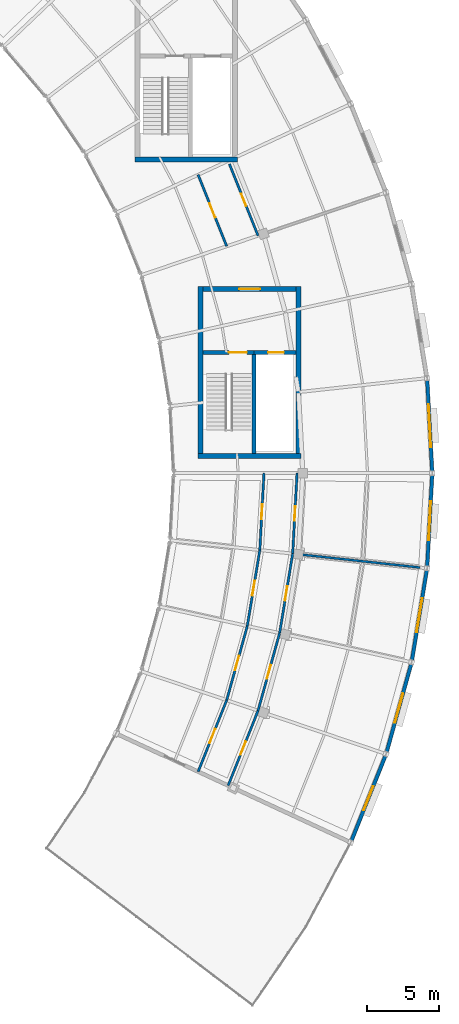
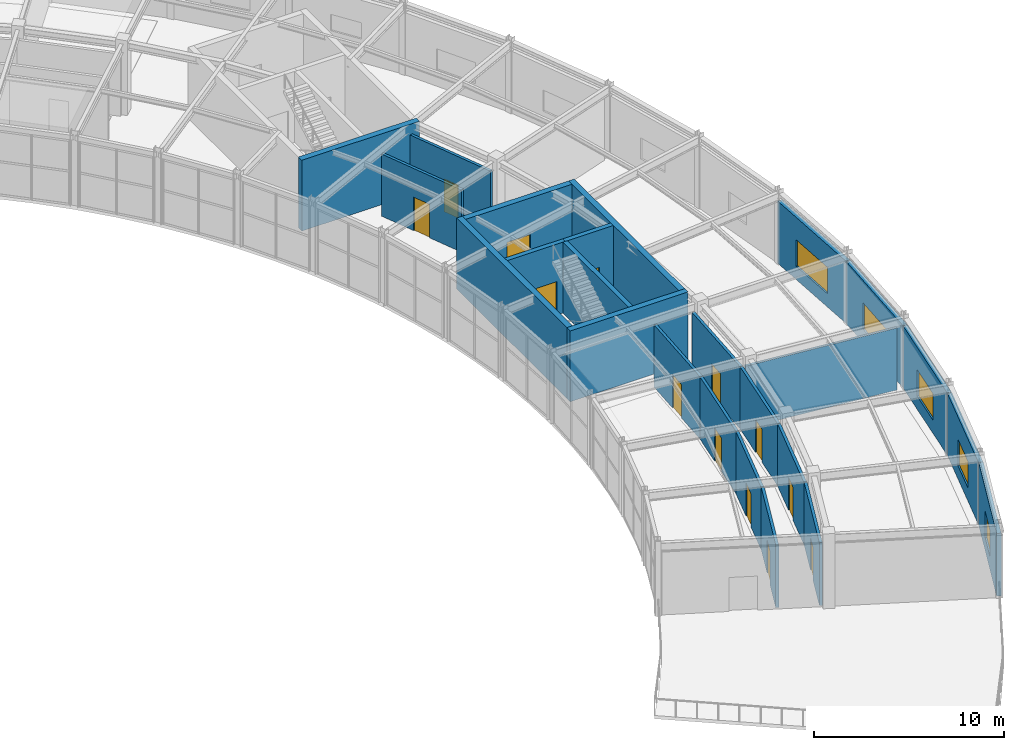
# One storey, part 94 of 108: 24 walls, 13 doors, 5 windows, 18 openings.
"""IFC4 building model written with IfcOpenShell, lengths in metres."""

from ifc_helpers import new_model, si_unit, direction, frame, frame_2d, origin, place, context, subcontext, project, spatial, rectangle, extrude, material, layer, layer_set, type_object, element, fill, save


model = new_model("IFC4")

# Units and contexts
model_context = context("Model", 3, precision=1e-05, world=origin(), true_north=direction((0.0, 1.0)))
body_context = subcontext(model_context, "Body", "Model", "MODEL_VIEW")
ifc_project = project(units=[si_unit("LENGTHUNIT", "METRE"), si_unit("AREAUNIT", "SQUARE_METRE"), si_unit("VOLUMEUNIT", "CUBIC_METRE"), si_unit("PLANEANGLEUNIT", "RADIAN"), si_unit("MASSUNIT", "GRAM", prefix="KILO")], contexts=[model_context])

# Site, building, storey
site_placement = place(None, origin())
site = spatial("IfcSite", under=ifc_project, at=site_placement, CompositionType="ELEMENT")
building_placement = place(site_placement, origin())
building = spatial("IfcBuilding", under=site, at=building_placement, Name="Tarnveldt Headland Concert Hall", CompositionType="ELEMENT")
storey_placement = place(building_placement, frame((0.0, 0.0, 9.60009765625)))
storey = spatial("IfcBuildingStorey", under=building, at=storey_placement, Name="L02", CompositionType="ELEMENT", Elevation=9.60009765625)

# Walls
ifc_material_1 = material(Name="Concrete C40/50", Category="concrete")
ifc_layer_1 = layer(ifc_material_1, 0.35009765625, Name="Concrete C40/50", Category="concrete")
ifc_layer_set_1 = layer_set([ifc_layer_1], Name="Concrete C40/50")
wall_type_1 = type_object("IfcWallType", Name="WL-CR350", PredefinedType="SHEAR", material=ifc_layer_set_1)
wall_1_placement = place(storey_placement, frame((157.824951171875, 81.800048828125, 0.0), z_axis=(0.0, 0.0, 1.0), x_axis=(1.0, 0.0, 0.0)))
element("IfcWall", 1, at=wall_1_placement, inside=storey, type_object=wall_type_1, Name="Core C3 south shear wall L02", PredefinedType="SHEAR", context=body_context, shape_type="SweptSolid", body=[
    extrude(rectangle(XDim=7.150146484375, YDim=0.35009765625, at=frame_2d((3.5751953125, 0.0))), origin(), (0.0, 0.0, 1.0), 4.5498046875),
])
wall_2_placement = place(storey_placement, frame((162.22509765625, 61.199951171875, 0.0), z_axis=(0.0, 0.0, 1.0), x_axis=(1.0, 0.0, 0.0)))
element("IfcWall", 2, at=wall_2_placement, inside=storey, type_object=wall_type_1, Name="Core C4 south shear wall L02", PredefinedType="SHEAR", context=body_context, shape_type="SweptSolid", body=[
    extrude(rectangle(XDim=7.14990234375, YDim=0.35009765625, at=frame_2d((3.574951171875, 0.0))), origin(), (0.0, 0.0, 1.0), 4.5498046875),
])

# Wall, opening, door
wall_3_placement = place(storey_placement, frame((162.574951171875, 72.800048828125, 0.0), z_axis=(0.0, 0.0, 1.0), x_axis=(1.0, 0.0, 0.0)))
wall_3 = element("IfcWall", 3, at=wall_3_placement, inside=storey, type_object=wall_type_1, Name="Core C4 north shear wall L02", PredefinedType="SHEAR", context=body_context, shape_type="SweptSolid", body=[
    extrude(rectangle(XDim=6.449951171875, YDim=0.35009765625, at=frame_2d((3.22509765625, 0.0))), origin(), (0.0, 0.0, 1.0), 4.5498046875),
])
opening_1_placement = place(wall_3_placement, frame((2.5, 0.0, 0.0)))
opening_1 = element("IfcOpeningElement", 4, at=opening_1_placement, cuts=wall_3, Name="Opening LBD-C4-L02", PredefinedType="OPENING", context=body_context, shape_type="SweptSolid", body=[
    extrude(rectangle(XDim=1.449951171875, YDim=2.199951171875, at=frame_2d((0.72509765625, 1.10009765625))), frame((0.0, 0.18505859375, 0.0), z_axis=(0.0, -1.0, 0.0), x_axis=(1.0, 0.0, 0.0)), (0.0, 0.0, 1.0), 0.3701171875),
])
ifc_material_2 = material(Name="Galvanised painted steel sheet", Category="steel")
door_type_1 = type_object("IfcDoorType", Name="DR-LB145", OperationType="NOTDEFINED", PredefinedType="DOOR", material=ifc_material_2)
door_1_placement = place(opening_1_placement, origin())
door_1 = element("IfcDoor", 5, at=door_1_placement, inside=storey, type_object=door_type_1, Name="Core C4 lobby entrance door L02", OperationType="SINGLE_SWING_LEFT", OverallHeight=2.199951171875, OverallWidth=1.449951171875, PredefinedType="DOOR", context=body_context, shape_type="SweptSolid", body=[
    extrude(rectangle(XDim=1.449951171875, YDim=2.199951171875, at=frame_2d((0.72509765625, 1.10009765625))), frame((0.0, 0.02490234375, 0.0), z_axis=(0.0, -1.0, 0.0), x_axis=(1.0, 0.0, 0.0)), (0.0, 0.0, 1.0), 0.050048828125),
])
fill(opening_1, door_1)

# Walls
for number, where, z_axis, x_axis, name in (
    (6, (162.39990234375, 61.375, 0.0), (0.0, 0.0, 1.0), (0.0, 1.0, 0.0), "Core C4 west shear wall L02"),
    (7, (169.199951171875, 61.375, 0.0), (0.0, 0.0, 1.0), (0.0, 1.0, 0.0), "Core C4 east shear wall L02"),
):
    element("IfcWall", number, at=place(storey_placement, frame(where, z_axis=z_axis, x_axis=x_axis)), inside=storey, type_object=wall_type_1, Name=name, PredefinedType="SHEAR", context=body_context, shape_type="SweptSolid", body=[
        extrude(rectangle(XDim=11.60009765625, YDim=0.35009765625, at=frame_2d((5.800048828125, 0.0))), origin(), (0.0, 0.0, 1.0), 4.5498046875),
    ])

# Wall, opening, window
ifc_material_3 = material(Name="Coral-toned precast concrete C40/50", Category="concrete")
ifc_layer_2 = layer(ifc_material_3, 0.25, Name="Coral-toned precast concrete C40/50", Category="concrete")
ifc_layer_set_2 = layer_set([ifc_layer_2], Name="Coral-toned precast concrete C40/50")
wall_type_2 = type_object("IfcWallType", Name="WL-EX250", PredefinedType="SOLIDWALL", material=ifc_layer_set_2)
wall_4_placement = place(storey_placement, frame((175.28369140625, 40.45751953125, 0.0), z_axis=(0.0, 0.0, 1.0), x_axis=(-0.371013273361, -0.928627563122, 0.0)))
wall_4 = element("IfcWall", 8, at=wall_4_placement, inside=storey, type_object=wall_type_2, Name="External precast wall L02-131", PredefinedType="SOLIDWALL", context=body_context, shape_type="SweptSolid", body=[
    extrude(rectangle(XDim=6.5810546875, YDim=0.25, at=frame_2d((3.29052734375, 0.0))), origin(), (0.0, 0.0, 1.0), 4.02783203125),
])
opening_2_placement = place(wall_4_placement, frame((2.390625, 0.0, 0.85009765625)))
opening_2 = element("IfcOpeningElement", 9, at=opening_2_placement, cuts=wall_4, Name="Opening W-C057", PredefinedType="OPENING", context=body_context, shape_type="SweptSolid", body=[
    extrude(rectangle(XDim=1.800048828125, YDim=1.699951171875, at=frame_2d((0.89990234375, 0.85009765625))), frame((0.0, 0.135009765625, 0.0), z_axis=(0.0, -1.0, 0.0), x_axis=(1.0, 0.0, 0.0)), (0.0, 0.0, 1.0), 0.27001953125),
])
ifc_material_4 = material(Name="Acoustic laminated low-iron double glazing", Category="glass")
window_type_1 = type_object("IfcWindowType", Name="WN-12", PartitioningType="SINGLE_PANEL", PredefinedType="WINDOW", material=ifc_material_4)
window_1_placement = place(opening_2_placement, origin())
window_1 = element("IfcWindow", 10, at=window_1_placement, inside=storey, type_object=window_type_1, Name="Crescent coastal studio window L02-6", OverallHeight=1.699951171875, OverallWidth=1.800048828125, PartitioningType="SINGLE_PANEL", PredefinedType="WINDOW", context=body_context, shape_type="SweptSolid", body=[
    extrude(rectangle(XDim=1.800048828125, YDim=1.699951171875, at=frame_2d((0.89990234375, 0.85009765625))), frame((0.0, 0.030029296875, 0.0), z_axis=(0.0, -1.0, 0.0), x_axis=(1.0, 0.0, 0.0)), (0.0, 0.0, 1.0), 0.06005859375),
])
fill(opening_2, window_1)

wall_5_placement = place(storey_placement, frame((177.061279296875, 46.835693359375, 0.0), z_axis=(0.0, 0.0, 1.0), x_axis=(-0.268139380464, -0.96338012884, 0.0)))
wall_5 = element("IfcWall", 11, at=wall_5_placement, inside=storey, type_object=wall_type_2, Name="External precast wall L02-132", PredefinedType="SOLIDWALL", context=body_context, shape_type="SweptSolid", body=[
    extrude(rectangle(XDim=6.5810546875, YDim=0.25, at=frame_2d((3.29052734375, 0.0))), origin(), (0.0, 0.0, 1.0), 3.98779296875),
])
opening_3_placement = place(wall_5_placement, frame((2.240478515625, 0.0, 0.85009765625)))
opening_3 = element("IfcOpeningElement", 12, at=opening_3_placement, cuts=wall_5, Name="Opening W-C058", PredefinedType="OPENING", context=body_context, shape_type="SweptSolid", body=[
    extrude(rectangle(XDim=2.10009765625, YDim=1.699951171875, at=frame_2d((1.050048828125, 0.85009765625))), frame((0.0, 0.135009765625, 0.0), z_axis=(0.0, -1.0, 0.0), x_axis=(1.0, 0.0, 0.0)), (0.0, 0.0, 1.0), 0.27001953125),
])
window_type_2 = type_object("IfcWindowType", Name="WN-13", PartitioningType="SINGLE_PANEL", PredefinedType="WINDOW", material=ifc_material_4)
window_2_placement = place(opening_3_placement, origin())
window_2 = element("IfcWindow", 13, at=window_2_placement, inside=storey, type_object=window_type_2, Name="Crescent coastal studio window L02-7", OverallHeight=1.699951171875, OverallWidth=2.10009765625, PartitioningType="SINGLE_PANEL", PredefinedType="WINDOW", context=body_context, shape_type="SweptSolid", body=[
    extrude(rectangle(XDim=2.10009765625, YDim=1.699951171875, at=frame_2d((1.050048828125, 0.85009765625))), frame((0.0, 0.030029296875, 0.0), z_axis=(0.0, -1.0, 0.0), x_axis=(1.0, 0.0, 0.0)), (0.0, 0.0, 1.0), 0.06005859375),
])
fill(opening_3, window_2)

wall_6_placement = place(storey_placement, frame((178.137451171875, 53.368896484375, 0.0), z_axis=(0.0, 0.0, 1.0), x_axis=(-0.162178892589, -0.986761372774, 0.0)))
wall_6 = element("IfcWall", 14, at=wall_6_placement, inside=storey, type_object=wall_type_2, Name="External precast wall L02-133", PredefinedType="SOLIDWALL", context=body_context, shape_type="SweptSolid", body=[
    extrude(rectangle(XDim=6.58154296875, YDim=0.25, at=frame_2d((3.290771484375, 0.0))), origin(), (0.0, 0.0, 1.0), 3.98779296875),
])
opening_4_placement = place(wall_6_placement, frame((2.0908203125, 0.0, 0.85009765625)))
opening_4 = element("IfcOpeningElement", 15, at=opening_4_placement, cuts=wall_6, Name="Opening W-C059", PredefinedType="OPENING", context=body_context, shape_type="SweptSolid", body=[
    extrude(rectangle(XDim=2.39990234375, YDim=1.699951171875, at=frame_2d((1.199951171875, 0.85009765625))), frame((0.0, 0.135009765625, 0.0), z_axis=(0.0, -1.0, 0.0), x_axis=(1.0, 0.0, 0.0)), (0.0, 0.0, 1.0), 0.27001953125),
])
window_type_3 = type_object("IfcWindowType", Name="WN-14", PartitioningType="SINGLE_PANEL", PredefinedType="WINDOW", material=ifc_material_4)
window_3_placement = place(opening_4_placement, origin())
window_3 = element("IfcWindow", 16, at=window_3_placement, inside=storey, type_object=window_type_3, Name="Crescent coastal studio window L02-8", OverallHeight=1.699951171875, OverallWidth=2.39990234375, PartitioningType="SINGLE_PANEL", PredefinedType="WINDOW", context=body_context, shape_type="SweptSolid", body=[
    extrude(rectangle(XDim=2.39990234375, YDim=1.699951171875, at=frame_2d((1.199951171875, 0.85009765625))), frame((0.0, 0.030029296875, 0.0), z_axis=(0.0, -1.0, 0.0), x_axis=(1.0, 0.0, 0.0)), (0.0, 0.0, 1.0), 0.06005859375),
])
fill(opening_4, window_3)

wall_7_placement = place(storey_placement, frame((178.498779296875, 59.97998046875, 0.0), z_axis=(0.0, 0.0, 1.0), x_axis=(-0.05427216263, -0.998526180109, 0.0)))
wall_7 = element("IfcWall", 17, at=wall_7_placement, inside=storey, type_object=wall_type_2, Name="External precast wall L02-134", PredefinedType="SOLIDWALL", context=body_context, shape_type="SweptSolid", body=[
    extrude(rectangle(XDim=6.581298828125, YDim=0.25, at=frame_2d((3.29052734375, 0.0))), origin(), (0.0, 0.0, 1.0), 3.98779296875),
])
opening_5_placement = place(wall_7_placement, frame((1.940673828125, 0.0, 0.85009765625)))
opening_5 = element("IfcOpeningElement", 18, at=opening_5_placement, cuts=wall_7, Name="Opening W-C060", PredefinedType="OPENING", context=body_context, shape_type="SweptSolid", body=[
    extrude(rectangle(XDim=2.699951171875, YDim=1.699951171875, at=frame_2d((1.35009765625, 0.85009765625))), frame((0.0, 0.135009765625, 0.0), z_axis=(0.0, -1.0, 0.0), x_axis=(1.0, 0.0, 0.0)), (0.0, 0.0, 1.0), 0.27001953125),
])
window_type_4 = type_object("IfcWindowType", Name="WN-15", PartitioningType="SINGLE_PANEL", PredefinedType="WINDOW", material=ifc_material_4)
window_4_placement = place(opening_5_placement, origin())
window_4 = element("IfcWindow", 19, at=window_4_placement, inside=storey, type_object=window_type_4, Name="Crescent coastal studio window L02-9", OverallHeight=1.699951171875, OverallWidth=2.699951171875, PartitioningType="SINGLE_PANEL", PredefinedType="WINDOW", context=body_context, shape_type="SweptSolid", body=[
    extrude(rectangle(XDim=2.699951171875, YDim=1.699951171875, at=frame_2d((1.35009765625, 0.85009765625))), frame((0.0, 0.030029296875, 0.0), z_axis=(0.0, -1.0, 0.0), x_axis=(1.0, 0.0, 0.0)), (0.0, 0.0, 1.0), 0.06005859375),
])
fill(opening_5, window_4)

wall_8_placement = place(storey_placement, frame((178.1416015625, 66.591552734375, 0.0), z_axis=(0.0, 0.0, 1.0), x_axis=(0.05427216263, -0.998526180109, 0.0)))
wall_8 = element("IfcWall", 20, at=wall_8_placement, inside=storey, type_object=wall_type_2, Name="External precast wall L02-135", PredefinedType="SOLIDWALL", context=body_context, shape_type="SweptSolid", body=[
    extrude(rectangle(XDim=6.581298828125, YDim=0.25, at=frame_2d((3.29052734375, 0.0))), origin(), (0.0, 0.0, 1.0), 3.98779296875),
])
opening_6_placement = place(wall_8_placement, frame((1.79052734375, 0.0, 0.85009765625)))
opening_6 = element("IfcOpeningElement", 21, at=opening_6_placement, cuts=wall_8, Name="Opening W-C061", PredefinedType="OPENING", context=body_context, shape_type="SweptSolid", body=[
    extrude(rectangle(XDim=3.0, YDim=1.699951171875, at=frame_2d((1.5, 0.85009765625))), frame((0.0, 0.135009765625, 0.0), z_axis=(0.0, -1.0, 0.0), x_axis=(1.0, 0.0, 0.0)), (0.0, 0.0, 1.0), 0.27001953125),
])
window_type_5 = type_object("IfcWindowType", Name="WN-16", PartitioningType="SINGLE_PANEL", PredefinedType="WINDOW", material=ifc_material_4)
window_5_placement = place(opening_6_placement, origin())
window_5 = element("IfcWindow", 22, at=window_5_placement, inside=storey, type_object=window_type_5, Name="Crescent coastal studio window L02-10", OverallHeight=1.699951171875, OverallWidth=3.0, PartitioningType="SINGLE_PANEL", PredefinedType="WINDOW", context=body_context, shape_type="SweptSolid", body=[
    extrude(rectangle(XDim=3.0, YDim=1.699951171875, at=frame_2d((1.5, 0.85009765625))), frame((0.0, 0.030029296875, 0.0), z_axis=(0.0, -1.0, 0.0), x_axis=(1.0, 0.0, 0.0)), (0.0, 0.0, 1.0), 0.06005859375),
])
fill(opening_6, window_5)

# Wall
ifc_material_5 = material(Name="Acoustic multi-layer gypsum and mineral-wool partition", Category="gypsum")
ifc_layer_3 = layer(ifc_material_5, 0.14990234375, Name="Acoustic multi-layer gypsum and mineral-wool partition", Category="gypsum")
ifc_layer_set_3 = layer_set([ifc_layer_3], Name="Acoustic multi-layer gypsum and mineral-wool partition")
wall_type_3 = type_object("IfcWallType", Name="WL-PT150", PredefinedType="PARTITIONING", material=ifc_layer_set_3)
wall_9_placement = place(storey_placement, frame((168.994873046875, 54.3857421875, 0.0), z_axis=(0.0, 0.0, 1.0), x_axis=(0.994106851206, -0.108404651128, 0.0)))
element("IfcWall", 23, at=wall_9_placement, inside=storey, type_object=wall_type_3, Name="Interior acoustic partition L02-198", PredefinedType="PARTITIONING", context=body_context, shape_type="SweptSolid", body=[
    extrude(rectangle(XDim=8.699951171875, YDim=0.14990234375, at=frame_2d((4.35009765625, 0.0))), origin(), (0.0, 0.0, 1.0), 3.989990234375),
])

# Wall, opening, door
ifc_layer_4 = layer(ifc_material_5, 0.1650390625, Name="Acoustic multi-layer gypsum and mineral-wool partition", Category="gypsum")
ifc_layer_set_4 = layer_set([ifc_layer_4], Name="Acoustic multi-layer gypsum and mineral-wool partition")
wall_type_4 = type_object("IfcWallType", Name="WL-PT165", PredefinedType="PARTITIONING", material=ifc_layer_set_4)
wall_10_placement = place(storey_placement, frame((162.22119140625, 39.251708984375, 0.0), z_axis=(0.0, 0.0, 1.0), x_axis=(0.371052411724, 0.92861192527, 0.0)))
wall_10 = element("IfcWall", 24, at=wall_10_placement, inside=storey, type_object=wall_type_4, Name="Interior acoustic partition L02-190", PredefinedType="PARTITIONING", context=body_context, shape_type="SweptSolid", body=[
    extrude(rectangle(XDim=5.351318359375, YDim=0.1650390625, at=frame_2d((2.67578125, 0.0))), origin(), (0.0, 0.0, 1.0), 4.02978515625),
])
opening_7_placement = place(wall_10_placement, frame((2.150634765625, 0.0, 0.0)))
opening_7 = element("IfcOpeningElement", 25, at=opening_7_placement, cuts=wall_10, Name="Opening D-L02-197", PredefinedType="OPENING", context=body_context, shape_type="SweptSolid", body=[
    extrude(rectangle(XDim=1.050048828125, YDim=2.14990234375, at=frame_2d((0.52490234375, 1.074951171875))), frame((0.0, 0.092529296875, 0.0), z_axis=(0.0, -1.0, 0.0), x_axis=(1.0, 0.0, 0.0)), (0.0, 0.0, 1.0), 0.18505859375),
])
ifc_material_6 = material(Name="Treated East African mvule hardwood", Category="wood")
door_type_2 = type_object("IfcDoorType", Name="DR-RM105", OperationType="NOTDEFINED", PredefinedType="DOOR", material=ifc_material_6)
door_2_placement = place(opening_7_placement, origin())
door_2 = element("IfcDoor", 26, at=door_2_placement, inside=storey, type_object=door_type_2, Name="Interior room door L02-197", OperationType="SINGLE_SWING_LEFT", OverallHeight=2.14990234375, OverallWidth=1.050048828125, PredefinedType="DOOR", context=body_context, shape_type="SweptSolid", body=[
    extrude(rectangle(XDim=1.050048828125, YDim=2.14990234375, at=frame_2d((0.52490234375, 1.074951171875))), frame((0.0, 0.02490234375, 0.0), z_axis=(0.0, -1.0, 0.0), x_axis=(1.0, 0.0, 0.0)), (0.0, 0.0, 1.0), 0.050048828125),
])
fill(opening_7, door_2)

wall_11_placement = place(storey_placement, frame((164.3076171875, 38.28369140625, 0.0), z_axis=(0.0, 0.0, 1.0), x_axis=(0.371029911437, 0.928620915562, 0.0)))
wall_11 = element("IfcWall", 27, at=wall_11_placement, inside=storey, type_object=wall_type_4, Name="Interior acoustic partition L02-191", PredefinedType="PARTITIONING", context=body_context, shape_type="SweptSolid", body=[
    extrude(rectangle(XDim=5.60107421875, YDim=0.1650390625, at=frame_2d((2.800537109375, 0.0))), origin(), (0.0, 0.0, 1.0), 4.02978515625),
])
opening_8_placement = place(wall_11_placement, frame((2.300537109375, 0.0, 0.0)))
opening_8 = element("IfcOpeningElement", 28, at=opening_8_placement, cuts=wall_11, Name="Opening D-L02-198", PredefinedType="OPENING", context=body_context, shape_type="SweptSolid", body=[
    extrude(rectangle(XDim=1.0, YDim=2.1201171875, at=frame_2d((0.5, 1.06005859375))), frame((0.0, 0.092529296875, 0.0), z_axis=(0.0, -1.0, 0.0), x_axis=(1.0, 0.0, 0.0)), (0.0, 0.0, 1.0), 0.18505859375),
])
door_type_3 = type_object("IfcDoorType", Name="DR-RM100", OperationType="NOTDEFINED", PredefinedType="DOOR", material=ifc_material_6)
door_3_placement = place(opening_8_placement, origin())
door_3 = element("IfcDoor", 29, at=door_3_placement, inside=storey, type_object=door_type_3, Name="Interior room door L02-198", OperationType="SINGLE_SWING_RIGHT", OverallHeight=2.1201171875, OverallWidth=1.0, PredefinedType="DOOR", context=body_context, shape_type="SweptSolid", body=[
    extrude(rectangle(XDim=1.0, YDim=2.1201171875, at=frame_2d((0.5, 1.06005859375))), frame((0.0, 0.02490234375, 0.0), z_axis=(0.0, -1.0, 0.0), x_axis=(1.0, 0.0, 0.0)), (0.0, 0.0, 1.0), 0.050048828125),
])
fill(opening_8, door_3)

wall_12_placement = place(storey_placement, frame((164.206787109375, 44.220947265625, 0.0), z_axis=(0.0, 0.0, 1.0), x_axis=(0.268128561912, 0.963383139923, 0.0)))
wall_12 = element("IfcWall", 30, at=wall_12_placement, inside=storey, type_object=wall_type_4, Name="Interior acoustic partition L02-192", PredefinedType="PARTITIONING", context=body_context, shape_type="SweptSolid", body=[
    extrude(rectangle(XDim=5.351318359375, YDim=0.1650390625, at=frame_2d((2.67578125, 0.0))), origin(), (0.0, 0.0, 1.0), 3.989990234375),
])
opening_9_placement = place(wall_12_placement, frame((2.150634765625, 0.0, 0.0)))
opening_9 = element("IfcOpeningElement", 31, at=opening_9_placement, cuts=wall_12, Name="Opening D-L02-199", PredefinedType="OPENING", context=body_context, shape_type="SweptSolid", body=[
    extrude(rectangle(XDim=1.050048828125, YDim=2.14990234375, at=frame_2d((0.52490234375, 1.074951171875))), frame((0.0, 0.092529296875, 0.0), z_axis=(0.0, -1.0, 0.0), x_axis=(1.0, 0.0, 0.0)), (0.0, 0.0, 1.0), 0.18505859375),
])
door_4_placement = place(opening_9_placement, origin())
door_4 = element("IfcDoor", 32, at=door_4_placement, inside=storey, type_object=door_type_2, Name="Interior room door L02-199", OperationType="SINGLE_SWING_LEFT", OverallHeight=2.14990234375, OverallWidth=1.050048828125, PredefinedType="DOOR", context=body_context, shape_type="SweptSolid", body=[
    extrude(rectangle(XDim=1.050048828125, YDim=2.14990234375, at=frame_2d((0.52490234375, 1.074951171875))), frame((0.0, 0.02490234375, 0.0), z_axis=(0.0, -1.0, 0.0), x_axis=(1.0, 0.0, 0.0)), (0.0, 0.0, 1.0), 0.050048828125),
])
fill(opening_9, door_4)

wall_13_placement = place(storey_placement, frame((166.3857421875, 43.48486328125, 0.0), z_axis=(0.0, 0.0, 1.0), x_axis=(0.268163153024, 0.963373511863, 0.0)))
wall_13 = element("IfcWall", 33, at=wall_13_placement, inside=storey, type_object=wall_type_4, Name="Interior acoustic partition L02-193", PredefinedType="PARTITIONING", context=body_context, shape_type="SweptSolid", body=[
    extrude(rectangle(XDim=5.600830078125, YDim=0.1650390625, at=frame_2d((2.80029296875, 0.0))), origin(), (0.0, 0.0, 1.0), 3.989990234375),
])
opening_10_placement = place(wall_13_placement, frame((2.300537109375, 0.0, 0.0)))
opening_10 = element("IfcOpeningElement", 34, at=opening_10_placement, cuts=wall_13, Name="Opening D-L02-200", PredefinedType="OPENING", context=body_context, shape_type="SweptSolid", body=[
    extrude(rectangle(XDim=1.0, YDim=2.1201171875, at=frame_2d((0.5, 1.06005859375))), frame((0.0, 0.092529296875, 0.0), z_axis=(0.0, -1.0, 0.0), x_axis=(1.0, 0.0, 0.0)), (0.0, 0.0, 1.0), 0.18505859375),
])
door_5_placement = place(opening_10_placement, origin())
door_5 = element("IfcDoor", 35, at=door_5_placement, inside=storey, type_object=door_type_3, Name="Interior room door L02-200", OperationType="SINGLE_SWING_RIGHT", OverallHeight=2.1201171875, OverallWidth=1.0, PredefinedType="DOOR", context=body_context, shape_type="SweptSolid", body=[
    extrude(rectangle(XDim=1.0, YDim=2.1201171875, at=frame_2d((0.5, 1.06005859375))), frame((0.0, 0.02490234375, 0.0), z_axis=(0.0, -1.0, 0.0), x_axis=(1.0, 0.0, 0.0)), (0.0, 0.0, 1.0), 0.050048828125),
])
fill(opening_10, door_5)

wall_14_placement = place(storey_placement, frame((165.6416015625, 49.376220703125, 0.0), z_axis=(0.0, 0.0, 1.0), x_axis=(0.162193820857, 0.986758919127, 0.0)))
wall_14 = element("IfcWall", 36, at=wall_14_placement, inside=storey, type_object=wall_type_4, Name="Interior acoustic partition L02-194", PredefinedType="PARTITIONING", context=body_context, shape_type="SweptSolid", body=[
    extrude(rectangle(XDim=5.35107421875, YDim=0.1650390625, at=frame_2d((2.675537109375, 0.0))), origin(), (0.0, 0.0, 1.0), 3.989990234375),
])
opening_11_placement = place(wall_14_placement, frame((2.150634765625, 0.0, 0.0)))
opening_11 = element("IfcOpeningElement", 37, at=opening_11_placement, cuts=wall_14, Name="Opening D-L02-201", PredefinedType="OPENING", context=body_context, shape_type="SweptSolid", body=[
    extrude(rectangle(XDim=1.050048828125, YDim=2.14990234375, at=frame_2d((0.52490234375, 1.074951171875))), frame((0.0, 0.092529296875, 0.0), z_axis=(0.0, -1.0, 0.0), x_axis=(1.0, 0.0, 0.0)), (0.0, 0.0, 1.0), 0.18505859375),
])
door_6_placement = place(opening_11_placement, origin())
door_6 = element("IfcDoor", 38, at=door_6_placement, inside=storey, type_object=door_type_2, Name="Interior room door L02-201", OperationType="SINGLE_SWING_LEFT", OverallHeight=2.14990234375, OverallWidth=1.050048828125, PredefinedType="DOOR", context=body_context, shape_type="SweptSolid", body=[
    extrude(rectangle(XDim=1.050048828125, YDim=2.14990234375, at=frame_2d((0.52490234375, 1.074951171875))), frame((0.0, 0.02490234375, 0.0), z_axis=(0.0, -1.0, 0.0), x_axis=(1.0, 0.0, 0.0)), (0.0, 0.0, 1.0), 0.050048828125),
])
fill(opening_11, door_6)

wall_15_placement = place(storey_placement, frame((167.8876953125, 48.880615234375, 0.0), z_axis=(0.0, 0.0, 1.0), x_axis=(0.162157760567, 0.986764845689, 0.0)))
wall_15 = element("IfcWall", 39, at=wall_15_placement, inside=storey, type_object=wall_type_4, Name="Interior acoustic partition L02-195", PredefinedType="PARTITIONING", context=body_context, shape_type="SweptSolid", body=[
    extrude(rectangle(XDim=5.600830078125, YDim=0.1650390625, at=frame_2d((2.80029296875, 0.0))), origin(), (0.0, 0.0, 1.0), 3.989990234375),
])
opening_12_placement = place(wall_15_placement, frame((2.30029296875, 0.0, 0.0)))
opening_12 = element("IfcOpeningElement", 40, at=opening_12_placement, cuts=wall_15, Name="Opening D-L02-202", PredefinedType="OPENING", context=body_context, shape_type="SweptSolid", body=[
    extrude(rectangle(XDim=1.0, YDim=2.1201171875, at=frame_2d((0.5, 1.06005859375))), frame((0.0, 0.092529296875, 0.0), z_axis=(0.0, -1.0, 0.0), x_axis=(1.0, 0.0, 0.0)), (0.0, 0.0, 1.0), 0.18505859375),
])
door_7_placement = place(opening_12_placement, origin())
door_7 = element("IfcDoor", 41, at=door_7_placement, inside=storey, type_object=door_type_3, Name="Interior room door L02-202", OperationType="SINGLE_SWING_RIGHT", OverallHeight=2.1201171875, OverallWidth=1.0, PredefinedType="DOOR", context=body_context, shape_type="SweptSolid", body=[
    extrude(rectangle(XDim=1.0, YDim=2.1201171875, at=frame_2d((0.5, 1.06005859375))), frame((0.0, 0.02490234375, 0.0), z_axis=(0.0, -1.0, 0.0), x_axis=(1.0, 0.0, 0.0)), (0.0, 0.0, 1.0), 0.050048828125),
])
fill(opening_12, door_7)

wall_16_placement = place(storey_placement, frame((166.509521484375, 54.656494140625, 0.0), z_axis=(0.0, 0.0, 1.0), x_axis=(0.054289989542, 0.998525211016, 0.0)))
wall_16 = element("IfcWall", 42, at=wall_16_placement, inside=storey, type_object=wall_type_4, Name="Interior acoustic partition L02-196", PredefinedType="PARTITIONING", context=body_context, shape_type="SweptSolid", body=[
    extrude(rectangle(XDim=5.351318359375, YDim=0.1650390625, at=frame_2d((2.67578125, 0.0))), origin(), (0.0, 0.0, 1.0), 3.989990234375),
])
opening_13_placement = place(wall_16_placement, frame((2.150634765625, 0.0, 0.0)))
opening_13 = element("IfcOpeningElement", 43, at=opening_13_placement, cuts=wall_16, Name="Opening D-L02-203", PredefinedType="OPENING", context=body_context, shape_type="SweptSolid", body=[
    extrude(rectangle(XDim=1.050048828125, YDim=2.14990234375, at=frame_2d((0.52490234375, 1.074951171875))), frame((0.0, 0.092529296875, 0.0), z_axis=(0.0, -1.0, 0.0), x_axis=(1.0, 0.0, 0.0)), (0.0, 0.0, 1.0), 0.18505859375),
])
door_8_placement = place(opening_13_placement, origin())
door_8 = element("IfcDoor", 44, at=door_8_placement, inside=storey, type_object=door_type_2, Name="Interior room door L02-203", OperationType="SINGLE_SWING_LEFT", OverallHeight=2.14990234375, OverallWidth=1.050048828125, PredefinedType="DOOR", context=body_context, shape_type="SweptSolid", body=[
    extrude(rectangle(XDim=1.050048828125, YDim=2.14990234375, at=frame_2d((0.52490234375, 1.074951171875))), frame((0.0, 0.02490234375, 0.0), z_axis=(0.0, -1.0, 0.0), x_axis=(1.0, 0.0, 0.0)), (0.0, 0.0, 1.0), 0.050048828125),
])
fill(opening_13, door_8)

wall_17_placement = place(storey_placement, frame((168.7958984375, 54.4072265625, 0.0), z_axis=(0.0, 0.0, 1.0), x_axis=(0.054311200267, 0.99852405756, 0.0)))
wall_17 = element("IfcWall", 45, at=wall_17_placement, inside=storey, type_object=wall_type_4, Name="Interior acoustic partition L02-197", PredefinedType="PARTITIONING", context=body_context, shape_type="SweptSolid", body=[
    extrude(rectangle(XDim=5.60107421875, YDim=0.1650390625, at=frame_2d((2.800537109375, 0.0))), origin(), (0.0, 0.0, 1.0), 3.989990234375),
])
opening_14_placement = place(wall_17_placement, frame((2.300537109375, 0.0, 0.0)))
opening_14 = element("IfcOpeningElement", 46, at=opening_14_placement, cuts=wall_17, Name="Opening D-L02-204", PredefinedType="OPENING", context=body_context, shape_type="SweptSolid", body=[
    extrude(rectangle(XDim=1.0, YDim=2.1201171875, at=frame_2d((0.5, 1.06005859375))), frame((0.0, 0.092529296875, 0.0), z_axis=(0.0, -1.0, 0.0), x_axis=(1.0, 0.0, 0.0)), (0.0, 0.0, 1.0), 0.18505859375),
])
door_9_placement = place(opening_14_placement, origin())
door_9 = element("IfcDoor", 47, at=door_9_placement, inside=storey, type_object=door_type_3, Name="Interior room door L02-204", OperationType="SINGLE_SWING_RIGHT", OverallHeight=2.1201171875, OverallWidth=1.0, PredefinedType="DOOR", context=body_context, shape_type="SweptSolid", body=[
    extrude(rectangle(XDim=1.0, YDim=2.1201171875, at=frame_2d((0.5, 1.06005859375))), frame((0.0, 0.02490234375, 0.0), z_axis=(0.0, -1.0, 0.0), x_axis=(1.0, 0.0, 0.0)), (0.0, 0.0, 1.0), 0.050048828125),
])
fill(opening_14, door_9)

wall_18_placement = place(storey_placement, frame((164.206787109375, 75.779052734375, 0.0), z_axis=(0.0, 0.0, 1.0), x_axis=(-0.371052411724, 0.92861192527, 0.0)))
wall_18 = element("IfcWall", 48, at=wall_18_placement, inside=storey, type_object=wall_type_4, Name="Interior acoustic partition L02-199", PredefinedType="PARTITIONING", context=body_context, shape_type="SweptSolid", body=[
    extrude(rectangle(XDim=5.351318359375, YDim=0.1650390625, at=frame_2d((2.67578125, 0.0))), origin(), (0.0, 0.0, 1.0), 3.989990234375),
])
opening_15_placement = place(wall_18_placement, frame((2.150634765625, 0.0, 0.0)))
opening_15 = element("IfcOpeningElement", 49, at=opening_15_placement, cuts=wall_18, Name="Opening D-L02-205", PredefinedType="OPENING", context=body_context, shape_type="SweptSolid", body=[
    extrude(rectangle(XDim=1.050048828125, YDim=2.14990234375, at=frame_2d((0.52490234375, 1.074951171875))), frame((0.0, 0.092529296875, 0.0), z_axis=(0.0, -1.0, 0.0), x_axis=(1.0, 0.0, 0.0)), (0.0, 0.0, 1.0), 0.18505859375),
])
door_10_placement = place(opening_15_placement, origin())
door_10 = element("IfcDoor", 50, at=door_10_placement, inside=storey, type_object=door_type_2, Name="Interior room door L02-205", OperationType="SINGLE_SWING_LEFT", OverallHeight=2.14990234375, OverallWidth=1.050048828125, PredefinedType="DOOR", context=body_context, shape_type="SweptSolid", body=[
    extrude(rectangle(XDim=1.050048828125, YDim=2.14990234375, at=frame_2d((0.52490234375, 1.074951171875))), frame((0.0, 0.02490234375, 0.0), z_axis=(0.0, -1.0, 0.0), x_axis=(1.0, 0.0, 0.0)), (0.0, 0.0, 1.0), 0.050048828125),
])
fill(opening_15, door_10)

wall_19_placement = place(storey_placement, frame((166.3857421875, 76.51513671875, 0.0), z_axis=(0.0, 0.0, 1.0), x_axis=(-0.370990720389, 0.928636573362, 0.0)))
wall_19 = element("IfcWall", 51, at=wall_19_placement, inside=storey, type_object=wall_type_4, Name="Interior acoustic partition L02-200", PredefinedType="PARTITIONING", context=body_context, shape_type="SweptSolid", body=[
    extrude(rectangle(XDim=5.367919921875, YDim=0.1650390625, at=frame_2d((2.68408203125, 0.0))), origin(), (0.0, 0.0, 1.0), 3.989990234375),
])
opening_16_placement = place(wall_19_placement, frame((2.223876953125, 0.0, 0.0)))
opening_16 = element("IfcOpeningElement", 52, at=opening_16_placement, cuts=wall_19, Name="Opening D-L02-206", PredefinedType="OPENING", context=body_context, shape_type="SweptSolid", body=[
    extrude(rectangle(XDim=0.919921875, YDim=2.10009765625, at=frame_2d((0.4599609375, 1.050048828125))), frame((0.0, 0.092529296875, 0.0), z_axis=(0.0, -1.0, 0.0), x_axis=(1.0, 0.0, 0.0)), (0.0, 0.0, 1.0), 0.18505859375),
])
door_type_4 = type_object("IfcDoorType", Name="DR-WC092", OperationType="NOTDEFINED", PredefinedType="DOOR", material=ifc_material_6)
door_11_placement = place(opening_16_placement, origin())
door_11 = element("IfcDoor", 53, at=door_11_placement, inside=storey, type_object=door_type_4, Name="Interior room door L02-206", OperationType="SINGLE_SWING_RIGHT", OverallHeight=2.10009765625, OverallWidth=0.919921875, PredefinedType="DOOR", context=body_context, shape_type="SweptSolid", body=[
    extrude(rectangle(XDim=0.919921875, YDim=2.10009765625, at=frame_2d((0.4599609375, 1.050048828125))), frame((0.0, 0.02490234375, 0.0), z_axis=(0.0, -1.0, 0.0), x_axis=(1.0, 0.0, 0.0)), (0.0, 0.0, 1.0), 0.050048828125),
])
fill(opening_16, door_11)

# Wall
ifc_layer_5 = layer(ifc_material_1, 0.27490234375, Name="Concrete C40/50", Category="concrete")
ifc_layer_set_5 = layer_set([ifc_layer_5], Name="Concrete C40/50")
wall_type_5 = type_object("IfcWallType", Name="WL-SH275", PredefinedType="SHEAR", material=ifc_layer_set_5)
wall_20_placement = place(storey_placement, frame((166.10009765625, 61.375, 0.0), z_axis=(0.0, 0.0, 1.0), x_axis=(0.0, 1.0, 0.0)))
element("IfcWall", 54, at=wall_20_placement, inside=storey, type_object=wall_type_5, Name="Core C4 shaft divider wall L02", PredefinedType="SHEAR", context=body_context, shape_type="SweptSolid", body=[
    extrude(rectangle(XDim=6.887451171875, YDim=0.27490234375, at=frame_2d((3.44384765625, 0.0))), origin(), (0.0, 0.0, 1.0), 4.5498046875),
])

# Wall, opening, door
wall_21_placement = place(storey_placement, frame((162.574951171875, 68.39990234375, 0.0), z_axis=(0.0, 0.0, 1.0), x_axis=(1.0, 0.0, 0.0)))
wall_21 = element("IfcWall", 55, at=wall_21_placement, inside=storey, type_object=wall_type_5, Name="Core C4 stair enclosure wall L02", PredefinedType="SHEAR", context=body_context, shape_type="SweptSolid", body=[
    extrude(rectangle(XDim=3.525146484375, YDim=0.27490234375, at=frame_2d((1.7626953125, 0.0))), origin(), (0.0, 0.0, 1.0), 4.5498046875),
])
opening_17_placement = place(wall_21_placement, frame((1.784912109375, 0.0, 0.0)))
opening_17 = element("IfcOpeningElement", 56, at=opening_17_placement, cuts=wall_21, Name="Opening SD-C4-L02", PredefinedType="OPENING", context=body_context, shape_type="SweptSolid", body=[
    extrude(rectangle(XDim=1.25, YDim=2.14990234375, at=frame_2d((0.625, 1.074951171875))), frame((0.0, 0.1474609375, 0.0), z_axis=(0.0, -1.0, 0.0), x_axis=(1.0, 0.0, 0.0)), (0.0, 0.0, 1.0), 0.294921875),
])
door_type_5 = type_object("IfcDoorType", Name="DR-ST125", OperationType="NOTDEFINED", PredefinedType="DOOR", material=ifc_material_2)
door_12_placement = place(opening_17_placement, origin())
door_12 = element("IfcDoor", 57, at=door_12_placement, inside=storey, type_object=door_type_5, Name="Core C4 stair fire door L02", OperationType="SINGLE_SWING_RIGHT", OverallHeight=2.14990234375, OverallWidth=1.25, PredefinedType="DOOR", context=body_context, shape_type="SweptSolid", body=[
    extrude(rectangle(XDim=1.25, YDim=2.14990234375, at=frame_2d((0.625, 1.074951171875))), frame((0.0, 0.02490234375, 0.0), z_axis=(0.0, -1.0, 0.0), x_axis=(1.0, 0.0, 0.0)), (0.0, 0.0, 1.0), 0.050048828125),
])
fill(opening_17, door_12)

wall_22_placement = place(storey_placement, frame((166.10009765625, 68.39990234375, 0.0), z_axis=(0.0, 0.0, 1.0), x_axis=(1.0, 0.0, 0.0)))
wall_22 = element("IfcWall", 58, at=wall_22_placement, inside=storey, type_object=wall_type_5, Name="Core C4 lift shaft front wall L02", PredefinedType="SHEAR", context=body_context, shape_type="SweptSolid", body=[
    extrude(rectangle(XDim=2.9248046875, YDim=0.27490234375, at=frame_2d((1.46240234375, 0.0))), origin(), (0.0, 0.0, 1.0), 4.5498046875),
])
opening_18_placement = place(wall_22_placement, frame((0.982421875, 0.0, 0.0)))
opening_18 = element("IfcOpeningElement", 59, at=opening_18_placement, cuts=wall_22, Name="Opening LD-LP-04-L02", PredefinedType="OPENING", context=body_context, shape_type="SweptSolid", body=[
    extrude(rectangle(XDim=1.10009765625, YDim=2.14990234375, at=frame_2d((0.550048828125, 1.074951171875))), frame((0.0, 0.1474609375, 0.0), z_axis=(0.0, -1.0, 0.0), x_axis=(1.0, 0.0, 0.0)), (0.0, 0.0, 1.0), 0.294921875),
])
door_type_6 = type_object("IfcDoorType", Name="LD-110", OperationType="NOTDEFINED", PredefinedType="DOOR", material=ifc_material_2)
door_13_placement = place(opening_18_placement, origin())
door_13 = element("IfcDoor", 60, at=door_13_placement, inside=storey, type_object=door_type_6, Name="Lift LP-04 sliding landing door L02", OperationType="DOUBLE_DOOR_SLIDING", OverallHeight=2.14990234375, OverallWidth=1.10009765625, PredefinedType="DOOR", context=body_context, shape_type="SweptSolid", body=[
    extrude(rectangle(XDim=1.10009765625, YDim=2.14990234375, at=frame_2d((0.550048828125, 1.074951171875))), frame((0.0, 0.02490234375, 0.0), z_axis=(0.0, -1.0, 0.0), x_axis=(1.0, 0.0, 0.0)), (0.0, 0.0, 1.0), 0.050048828125),
])
fill(opening_18, door_13)

save(model, "model.ifc")
